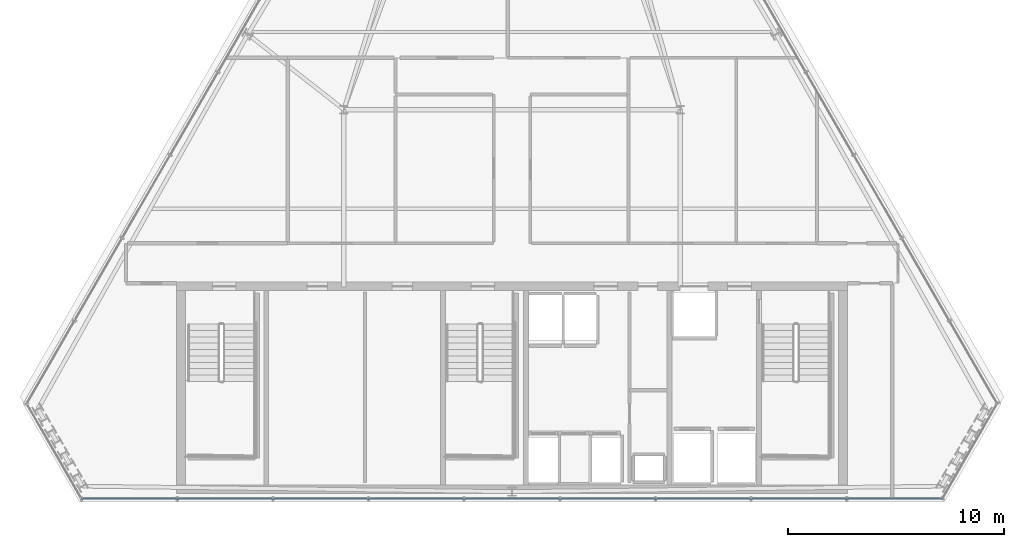
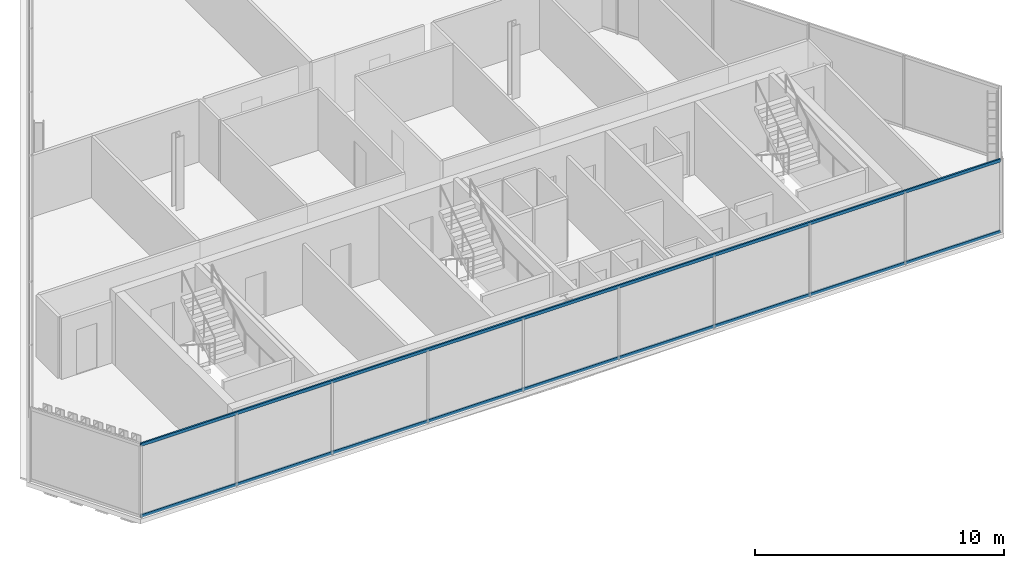
# One storey, part 10 of 35: 2 members, 1 element without a shape of its own.
"""IFC4 building model written with IfcOpenShell, lengths in metres."""

from ifc_helpers import new_model, si_unit, direction, frame, origin, origin_2d, place, context, subcontext, project, spatial, hollow_rectangle, extrude, material, layer, layer_set, material_profile, profile_set, type_object, element, aggregate, save


model = new_model("IFC4")

# Units and contexts
model_context = context("Model", 3, precision=1e-05, world=origin(), true_north=direction((0.0, 1.0)))
body_context = subcontext(model_context, "Body", "Model", "MODEL_VIEW")
ifc_project = project(units=[si_unit("LENGTHUNIT", "METRE"), si_unit("AREAUNIT", "SQUARE_METRE"), si_unit("VOLUMEUNIT", "CUBIC_METRE"), si_unit("PLANEANGLEUNIT", "RADIAN"), si_unit("MASSUNIT", "GRAM", prefix="KILO")], contexts=[model_context])

# Site, building, storey
site_placement = place(None, origin())
site = spatial("IfcSite", under=ifc_project, at=site_placement, CompositionType="ELEMENT")
building_placement = place(site_placement, origin())
building = spatial("IfcBuilding", under=site, at=building_placement, Name="Ndaravel Arena Tower", CompositionType="ELEMENT")
storey_placement = place(building_placement, frame((0.0, 0.0, 271.199951171875)))
storey = spatial("IfcBuildingStorey", under=building, at=storey_placement, Name="L66", CompositionType="ELEMENT", Elevation=271.199951171875)

# Curtain wall, members
ifc_material_1 = material(Name="Aluminium", Category="aluminium")
ifc_layer = layer(ifc_material_1, 0.179931640625)
ifc_layer_set = layer_set([ifc_layer], Name="Aluminium")
curtain_wall_type = type_object("IfcCurtainWallType", Name="CW-SYS-03", PredefinedType="NOTDEFINED", material=ifc_layer_set)
curtain_wall_placement = place(storey_placement, origin())
curtain_wall = element("IfcCurtainWall", 1, at=curtain_wall_placement, inside=storey, type_object=curtain_wall_type, Name="L66 Faceted Crystal Curtain Wall CW-L66-E01", PredefinedType="NOTDEFINED")
ifc_material_2 = material(Name="Aluminium", Category="aluminium")
ifc_material_profile = material_profile(ifc_material_2, hollow_rectangle(XDim=0.074951171875, YDim=0.14990234375, WallThickness=0.00390625, at=origin_2d()), Name="CW TRANSOM 75x150x4")
ifc_profile_set = profile_set([ifc_material_profile], Name="Aluminium")
member_type = type_object("IfcMemberType", Name="MEM-CW-TRN150", PredefinedType="USERDEFINED", material=ifc_profile_set)
member_1_placement = place(storey_placement, frame((22.041015625, 5.159912109375, 0.0400390625), z_axis=(1.0, 0.0, 0.0), x_axis=(0.0, 1.0, 0.0)))
member_1 = element("IfcMember", 2, at=member_1_placement, type_object=member_type, Name="CW-L66-E01 Transom 01", ObjectType="TRANSOM", PredefinedType="USERDEFINED", context=body_context, shape_type="SweptSolid", body=[
    extrude(hollow_rectangle(XDim=0.074951171875, YDim=0.14990234375, WallThickness=0.00390625, at=origin_2d()), origin(), (0.0, 0.0, 1.0), 39.91796875),
])
member_2_placement = place(storey_placement, frame((22.041015625, 5.159912109375, 3.5400390625), z_axis=(1.0, 0.0, 0.0), x_axis=(0.0, 1.0, 0.0)))
member_2 = element("IfcMember", 3, at=member_2_placement, type_object=member_type, Name="CW-L66-E01 Transom 02", ObjectType="TRANSOM", PredefinedType="USERDEFINED", context=body_context, shape_type="SweptSolid", body=[
    extrude(hollow_rectangle(XDim=0.074951171875, YDim=0.14990234375, WallThickness=0.00390625, at=origin_2d()), origin(), (0.0, 0.0, 1.0), 39.91796875),
])
aggregate(curtain_wall, [member_1, member_2])

save(model, "model.ifc")
